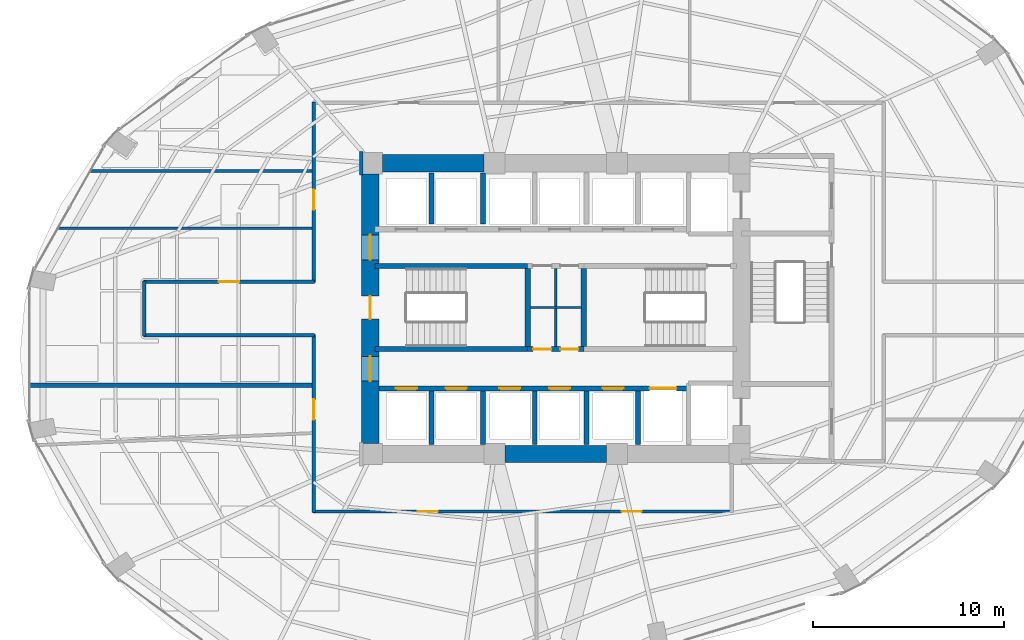
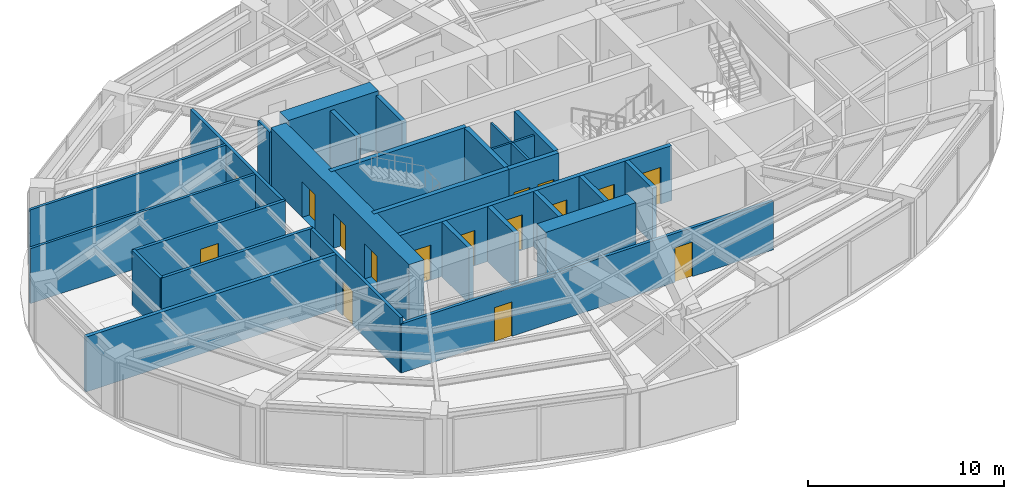
# One storey, part 20 of 24: 28 walls, 16 doors, 16 openings.
"""IFC4 building model written with IfcOpenShell, lengths in metres."""

from ifc_helpers import new_model, si_unit, direction, frame, frame_2d, origin, place, context, subcontext, project, spatial, rectangle, extrude, material, layer, layer_set, type_object, element, fill, save


model = new_model("IFC4")

# Units and contexts
model_context = context("Model", 3, precision=1e-05, world=origin(), true_north=direction((0.0, 1.0)))
body_context = subcontext(model_context, "Body", "Model", "MODEL_VIEW")
ifc_project = project(units=[si_unit("LENGTHUNIT", "METRE"), si_unit("AREAUNIT", "SQUARE_METRE"), si_unit("VOLUMEUNIT", "CUBIC_METRE"), si_unit("PLANEANGLEUNIT", "RADIAN"), si_unit("MASSUNIT", "GRAM", prefix="KILO")], contexts=[model_context])

# Site, building, storey
site_placement = place(None, origin())
site = spatial("IfcSite", under=ifc_project, at=site_placement, CompositionType="ELEMENT")
building_placement = place(site_placement, origin())
building = spatial("IfcBuilding", under=site, at=building_placement, Name="Lazwardi Medical Tower", CompositionType="ELEMENT")
storey_placement = place(building_placement, frame((0.0, 0.0, 39.7919921875)))
storey = spatial("IfcBuildingStorey", under=building, at=storey_placement, Name="L09", CompositionType="ELEMENT", Elevation=39.7919921875)

# Wall
ifc_material_1 = material(Name="Fire-rated gypsum board on steel stud", Category="steel")
ifc_layer_1 = layer(ifc_material_1, 0.179931640625)
ifc_layer_set_1 = layer_set([ifc_layer_1], Name="Fire-rated gypsum board on steel stud")
wall_type_1 = type_object("IfcWallType", Name="WL-COR-180", PredefinedType="PARTITIONING", material=ifc_layer_set_1)
wall_1_placement = place(storey_placement, frame((14.5, 26.56005859375, 0.0), z_axis=(0.0, 0.0, 1.0), x_axis=(0.0, 1.0, 0.0)))
element("IfcWall", 1, at=wall_1_placement, inside=storey, type_object=wall_type_1, Name="L09 Corridor partition 1", PredefinedType="PARTITIONING", context=body_context, shape_type="SweptSolid", body=[
    extrude(rectangle(XDim=2.8798828125, YDim=0.179931640625, at=frame_2d((1.43994140625, 0.0))), origin(), (0.0, 0.0, 1.0), 3.427978515625),
])

# Wall, opening, door
wall_2_placement = place(storey_placement, frame((14.4599609375, 29.39990234375, 0.0), z_axis=(0.0, 0.0, 1.0), x_axis=(1.0, 0.0, 0.0)))
wall_2 = element("IfcWall", 2, at=wall_2_placement, inside=storey, type_object=wall_type_1, Name="L09 Corridor partition 2", PredefinedType="PARTITIONING", context=body_context, shape_type="SweptSolid", body=[
    extrude(rectangle(XDim=8.929931640625, YDim=0.179931640625, at=frame_2d((4.46484375, 0.0))), origin(), (0.0, 0.0, 1.0), 3.427978515625),
])
opening_1_placement = place(wall_2_placement, frame((3.93994140625, 0.0, 0.0)))
opening_1 = element("IfcOpeningElement", 3, at=opening_1_placement, cuts=wall_2, Name="Opening D-L09-016", PredefinedType="OPENING", context=body_context, shape_type="SweptSolid", body=[
    extrude(rectangle(XDim=1.050048828125, YDim=2.14990234375, at=frame_2d((0.52490234375, 1.074951171875))), frame((0.0, 0.099853515625, 0.0), z_axis=(0.0, -1.0, 0.0), x_axis=(1.0, 0.0, 0.0)), (0.0, 0.0, 1.0), 0.199951171875),
])
ifc_material_2 = material(Name="Anti-microbial laminate hospital leaf")
door_type_1 = type_object("IfcDoorType", Name="DR-CLN-1050", OperationType="NOTDEFINED", PredefinedType="DOOR", material=ifc_material_2)
door_1_placement = place(opening_1_placement, origin())
door_1 = element("IfcDoor", 4, at=door_1_placement, inside=storey, type_object=door_type_1, Name="L09 Outpatient Clinic Door 08", OperationType="SINGLE_SWING_LEFT", OverallHeight=2.14990234375, OverallWidth=1.050048828125, PredefinedType="DOOR", context=body_context, shape_type="SweptSolid", body=[
    extrude(rectangle(XDim=1.050048828125, YDim=2.14990234375, at=frame_2d((0.52490234375, 1.074951171875))), frame((0.0, 0.02490234375, 0.0), z_axis=(0.0, -1.0, 0.0), x_axis=(1.0, 0.0, 0.0)), (0.0, 0.0, 1.0), 0.050048828125),
])
fill(opening_1, door_1)

wall_3_placement = place(storey_placement, frame((23.35009765625, 29.360107421875, 0.0), z_axis=(0.0, 0.0, 1.0), x_axis=(0.0, 1.0, 0.0)))
wall_3 = element("IfcWall", 5, at=wall_3_placement, inside=storey, type_object=wall_type_1, Name="L09 Corridor partition 3", PredefinedType="PARTITIONING", context=body_context, shape_type="SweptSolid", body=[
    extrude(rectangle(XDim=9.429931640625, YDim=0.179931640625, at=frame_2d((4.71484375, 0.0))), origin(), (0.0, 0.0, 1.0), 3.427978515625),
])
opening_2_placement = place(wall_3_placement, frame((3.81494140625, 0.0, 0.0)))
opening_2 = element("IfcOpeningElement", 6, at=opening_2_placement, cuts=wall_3, Name="Opening D-L09-015", PredefinedType="OPENING", context=body_context, shape_type="SweptSolid", body=[
    extrude(rectangle(XDim=1.050048828125, YDim=2.14990234375, at=frame_2d((0.52490234375, 1.074951171875))), frame((0.0, 0.099853515625, 0.0), z_axis=(0.0, -1.0, 0.0), x_axis=(1.0, 0.0, 0.0)), (0.0, 0.0, 1.0), 0.199951171875),
])
door_2_placement = place(opening_2_placement, origin())
door_2 = element("IfcDoor", 7, at=door_2_placement, inside=storey, type_object=door_type_1, Name="L09 Outpatient Clinic Door 07", OperationType="SINGLE_SWING_RIGHT", OverallHeight=2.14990234375, OverallWidth=1.050048828125, PredefinedType="DOOR", context=body_context, shape_type="SweptSolid", body=[
    extrude(rectangle(XDim=1.050048828125, YDim=2.14990234375, at=frame_2d((0.52490234375, 1.074951171875))), frame((0.0, 0.02490234375, 0.0), z_axis=(0.0, -1.0, 0.0), x_axis=(1.0, 0.0, 0.0)), (0.0, 0.0, 1.0), 0.050048828125),
])
fill(opening_2, door_2)

# Wall
wall_4_placement = place(storey_placement, frame((25.830078125, 36.2099609375, 0.0), z_axis=(0.0, 0.0, 1.0), x_axis=(0.0, -1.0, 0.0)))
element("IfcWall", 8, at=wall_4_placement, inside=storey, type_object=wall_type_1, Name="L09 Corridor partition 12", PredefinedType="PARTITIONING", context=body_context, shape_type="SweptSolid", body=[
    extrude(rectangle(XDim=1.219970703125, YDim=0.179931640625, at=frame_2d((0.60986328125, 0.0))), origin(), (0.0, 0.0, 1.0), 3.427978515625),
])

# Wall, openings, doors
wall_5_placement = place(storey_placement, frame((45.239990234375, 17.39990234375, 0.0), z_axis=(0.0, 0.0, 1.0), x_axis=(-1.0, 0.0, 0.0)))
wall_5 = element("IfcWall", 9, at=wall_5_placement, inside=storey, type_object=wall_type_1, Name="L09 Corridor partition 15", PredefinedType="PARTITIONING", context=body_context, shape_type="SweptSolid", body=[
    extrude(rectangle(XDim=21.929931640625, YDim=0.179931640625, at=frame_2d((10.96484375, 0.0))), origin(), (0.0, 0.0, 1.0), 3.052978515625),
])
opening_3_placement = place(wall_5_placement, frame((15.40087890625, 0.0, 0.0)))
opening_3 = element("IfcOpeningElement", 10, at=opening_3_placement, cuts=wall_5, Name="Opening D-L09-010", PredefinedType="OPENING", context=body_context, shape_type="SweptSolid", body=[
    extrude(rectangle(XDim=1.050048828125, YDim=2.14990234375, at=frame_2d((0.52490234375, 1.074951171875))), frame((0.0, 0.099853515625, 0.0), z_axis=(0.0, -1.0, 0.0), x_axis=(1.0, 0.0, 0.0)), (0.0, 0.0, 1.0), 0.199951171875),
])
opening_4_placement = place(wall_5_placement, frame((4.75390625, 0.0, 0.0)))
opening_4 = element("IfcOpeningElement", 11, at=opening_4_placement, cuts=wall_5, Name="Opening D-L09-011", PredefinedType="OPENING", context=body_context, shape_type="SweptSolid", body=[
    extrude(rectangle(XDim=1.050048828125, YDim=2.14990234375, at=frame_2d((0.52490234375, 1.074951171875))), frame((0.0, 0.099853515625, 0.0), z_axis=(0.0, -1.0, 0.0), x_axis=(1.0, 0.0, 0.0)), (0.0, 0.0, 1.0), 0.199951171875),
])
door_3_placement = place(opening_3_placement, origin())
door_3 = element("IfcDoor", 12, at=door_3_placement, inside=storey, type_object=door_type_1, Name="L09 Clinical Specialist Office Door 02", OperationType="SINGLE_SWING_LEFT", OverallHeight=2.14990234375, OverallWidth=1.050048828125, PredefinedType="DOOR", context=body_context, shape_type="SweptSolid", body=[
    extrude(rectangle(XDim=1.050048828125, YDim=2.14990234375, at=frame_2d((0.52490234375, 1.074951171875))), frame((0.0, 0.02490234375, 0.0), z_axis=(0.0, -1.0, 0.0), x_axis=(1.0, 0.0, 0.0)), (0.0, 0.0, 1.0), 0.050048828125),
])
fill(opening_3, door_3)
door_4_placement = place(opening_4_placement, origin())
door_4 = element("IfcDoor", 13, at=door_4_placement, inside=storey, type_object=door_type_1, Name="L09 Outpatient Consultation Suite Door 03", OperationType="SINGLE_SWING_RIGHT", OverallHeight=2.14990234375, OverallWidth=1.050048828125, PredefinedType="DOOR", context=body_context, shape_type="SweptSolid", body=[
    extrude(rectangle(XDim=1.050048828125, YDim=2.14990234375, at=frame_2d((0.52490234375, 1.074951171875))), frame((0.0, 0.02490234375, 0.0), z_axis=(0.0, -1.0, 0.0), x_axis=(1.0, 0.0, 0.0)), (0.0, 0.0, 1.0), 0.050048828125),
])
fill(opening_4, door_4)

# Wall, opening, door
wall_6_placement = place(storey_placement, frame((23.35009765625, 17.360107421875, 0.0), z_axis=(0.0, 0.0, 1.0), x_axis=(0.0, 1.0, 0.0)))
wall_6 = element("IfcWall", 14, at=wall_6_placement, inside=storey, type_object=wall_type_1, Name="L09 Corridor partition 16", PredefinedType="PARTITIONING", context=body_context, shape_type="SweptSolid", body=[
    extrude(rectangle(XDim=9.27978515625, YDim=0.179931640625, at=frame_2d((4.639892578125, 0.0))), origin(), (0.0, 0.0, 1.0), 3.427978515625),
])
opening_5_placement = place(wall_6_placement, frame((4.845703125, 0.0, 0.0)))
opening_5 = element("IfcOpeningElement", 15, at=opening_5_placement, cuts=wall_6, Name="Opening D-L09-009", PredefinedType="OPENING", context=body_context, shape_type="SweptSolid", body=[
    extrude(rectangle(XDim=1.050048828125, YDim=2.14990234375, at=frame_2d((0.52490234375, 1.074951171875))), frame((0.0, 0.099853515625, 0.0), z_axis=(0.0, -1.0, 0.0), x_axis=(1.0, 0.0, 0.0)), (0.0, 0.0, 1.0), 0.199951171875),
])
door_5_placement = place(opening_5_placement, origin())
door_5 = element("IfcDoor", 16, at=door_5_placement, inside=storey, type_object=door_type_1, Name="L09 Outpatient Clinic Door 01", OperationType="SINGLE_SWING_RIGHT", OverallHeight=2.14990234375, OverallWidth=1.050048828125, PredefinedType="DOOR", context=body_context, shape_type="SweptSolid", body=[
    extrude(rectangle(XDim=1.050048828125, YDim=2.14990234375, at=frame_2d((0.52490234375, 1.074951171875))), frame((0.0, 0.02490234375, 0.0), z_axis=(0.0, -1.0, 0.0), x_axis=(1.0, 0.0, 0.0)), (0.0, 0.0, 1.0), 0.050048828125),
])
fill(opening_5, door_5)

# Wall
wall_7_placement = place(storey_placement, frame((23.389892578125, 26.60009765625, 0.0), z_axis=(0.0, 0.0, 1.0), x_axis=(-1.0, 0.0, 0.0)))
element("IfcWall", 17, at=wall_7_placement, inside=storey, type_object=wall_type_1, Name="L09 Corridor partition 17", PredefinedType="PARTITIONING", context=body_context, shape_type="SweptSolid", body=[
    extrude(rectangle(XDim=8.929931640625, YDim=0.179931640625, at=frame_2d((4.46484375, 0.0))), origin(), (0.0, 0.0, 1.0), 3.427978515625),
])

# Wall, openings, doors
ifc_material_3 = material(Name="Concrete C80/95", Category="concrete")
ifc_layer_2 = layer(ifc_material_3, 0.89990234375)
ifc_layer_set_2 = layer_set([ifc_layer_2], Name="Concrete C80/95")
wall_type_2 = type_object("IfcWallType", Name="WL-CORE-900", PredefinedType="SHEAR", material=ifc_layer_set_2)
wall_8_placement = place(storey_placement, frame((26.300048828125, 20.949951171875, 0.0), z_axis=(0.0, 0.0, 1.0), x_axis=(0.0, 1.0, 0.0)))
wall_8 = element("IfcWall", 18, at=wall_8_placement, inside=storey, type_object=wall_type_2, Name="Core wall CW-S1 west L09", PredefinedType="SHEAR", context=body_context, shape_type="SweptSolid", body=[
    extrude(rectangle(XDim=14.10009765625, YDim=0.89990234375, at=frame_2d((7.050048828125, 0.0))), origin(), (0.0, 0.0, 1.0), 3.64794921875),
])
opening_6_placement = place(wall_8_placement, frame((6.5, 0.0, 0.0)))
opening_6 = element("IfcOpeningElement", 19, at=opening_6_placement, cuts=wall_8, Name="Opening D-L09-017", PredefinedType="OPENING", context=body_context, shape_type="SweptSolid", body=[
    extrude(rectangle(XDim=1.199951171875, YDim=2.14990234375, at=frame_2d((0.60009765625, 1.074951171875))), frame((0.0, 0.4599609375, 0.0), z_axis=(0.0, -1.0, 0.0), x_axis=(1.0, 0.0, 0.0)), (0.0, 0.0, 1.0), 0.919921875),
])
opening_7_placement = place(wall_8_placement, frame((9.60009765625, 0.0, 0.0)))
opening_7 = element("IfcOpeningElement", 20, at=opening_7_placement, cuts=wall_8, Name="Opening D-L09-007", PredefinedType="OPENING", context=body_context, shape_type="SweptSolid", body=[
    extrude(rectangle(XDim=1.300048828125, YDim=2.199951171875, at=frame_2d((0.64990234375, 1.10009765625))), frame((0.0, 0.4599609375, 0.0), z_axis=(0.0, -1.0, 0.0), x_axis=(1.0, 0.0, 0.0)), (0.0, 0.0, 1.0), 0.919921875),
])
opening_8_placement = place(wall_8_placement, frame((3.260009765625, 0.0, 0.0)))
opening_8 = element("IfcOpeningElement", 21, at=opening_8_placement, cuts=wall_8, Name="Opening D-L09-008", PredefinedType="OPENING", context=body_context, shape_type="SweptSolid", body=[
    extrude(rectangle(XDim=1.300048828125, YDim=2.199951171875, at=frame_2d((0.64990234375, 1.10009765625))), frame((0.0, 0.4599609375, 0.0), z_axis=(0.0, -1.0, 0.0), x_axis=(1.0, 0.0, 0.0)), (0.0, 0.0, 1.0), 0.919921875),
])
ifc_material_4 = material(Name="Fire-rated steel leaf and frame", Category="steel")
door_type_2 = type_object("IfcDoorType", Name="DR-FFL-1300", OperationType="NOTDEFINED", PredefinedType="DOOR", material=ifc_material_4)
door_6_placement = place(opening_7_placement, origin())
door_6 = element("IfcDoor", 22, at=door_6_placement, inside=storey, type_object=door_type_2, Name="L09 North Lift Lobby Door", OperationType="SINGLE_SWING_LEFT", OverallHeight=2.199951171875, OverallWidth=1.300048828125, PredefinedType="DOOR", context=body_context, shape_type="SweptSolid", body=[
    extrude(rectangle(XDim=1.300048828125, YDim=2.199951171875, at=frame_2d((0.64990234375, 1.10009765625))), frame((0.0, 0.02490234375, 0.0), z_axis=(0.0, -1.0, 0.0), x_axis=(1.0, 0.0, 0.0)), (0.0, 0.0, 1.0), 0.050048828125),
])
fill(opening_7, door_6)
door_7_placement = place(opening_8_placement, origin())
door_7 = element("IfcDoor", 23, at=door_7_placement, inside=storey, type_object=door_type_2, Name="L09 South Lift Lobby Door", OperationType="SINGLE_SWING_RIGHT", OverallHeight=2.199951171875, OverallWidth=1.300048828125, PredefinedType="DOOR", context=body_context, shape_type="SweptSolid", body=[
    extrude(rectangle(XDim=1.300048828125, YDim=2.199951171875, at=frame_2d((0.64990234375, 1.10009765625))), frame((0.0, 0.02490234375, 0.0), z_axis=(0.0, -1.0, 0.0), x_axis=(1.0, 0.0, 0.0)), (0.0, 0.0, 1.0), 0.050048828125),
])
fill(opening_8, door_7)
door_type_3 = type_object("IfcDoorType", Name="DR-STR-1200", OperationType="NOTDEFINED", PredefinedType="DOOR", material=ifc_material_4)
door_8_placement = place(opening_6_placement, origin())
door_8 = element("IfcDoor", 24, at=door_8_placement, inside=storey, type_object=door_type_3, Name="L09 Exit Stair ST1 Door", OperationType="SINGLE_SWING_LEFT", OverallHeight=2.14990234375, OverallWidth=1.199951171875, PredefinedType="DOOR", context=body_context, shape_type="SweptSolid", body=[
    extrude(rectangle(XDim=1.199951171875, YDim=2.14990234375, at=frame_2d((0.60009765625, 1.074951171875))), frame((0.0, 0.02490234375, 0.0), z_axis=(0.0, -1.0, 0.0), x_axis=(1.0, 0.0, 0.0)), (0.0, 0.0, 1.0), 0.050048828125),
])
fill(opening_6, door_8)

# Walls
wall_9_placement = place(storey_placement, frame((26.949951171875, 35.60009765625, 0.0), z_axis=(0.0, 0.0, 1.0), x_axis=(1.0, 0.0, 0.0)))
element("IfcWall", 25, at=wall_9_placement, inside=storey, type_object=wall_type_2, Name="Core wall CW-S1 N1 L09", PredefinedType="SHEAR", context=body_context, shape_type="SweptSolid", body=[
    extrude(rectangle(XDim=5.300048828125, YDim=0.89990234375, at=frame_2d((2.64990234375, 0.0))), origin(), (0.0, 0.0, 1.0), 3.64794921875),
])
wall_10_placement = place(storey_placement, frame((33.35009765625, 20.39990234375, 0.0), z_axis=(0.0, 0.0, 1.0), x_axis=(1.0, 0.0, 0.0)))
element("IfcWall", 26, at=wall_10_placement, inside=storey, type_object=wall_type_2, Name="Core wall CW-S1 S2 L09", PredefinedType="SHEAR", context=body_context, shape_type="SweptSolid", body=[
    extrude(rectangle(XDim=5.2998046875, YDim=0.89990234375, at=frame_2d((2.64990234375, 0.0))), origin(), (0.0, 0.0, 1.0), 3.64794921875),
])
ifc_material_5 = material(Name="Moisture-resistant gypsum board partition")
ifc_layer_3 = layer(ifc_material_5, 0.125)
ifc_layer_set_3 = layer_set([ifc_layer_3], Name="Moisture-resistant gypsum board partition")
wall_type_3 = type_object("IfcWallType", Name="WL-ENS-125", PredefinedType="PARTITIONING", material=ifc_layer_set_3)
wall_11_placement = place(storey_placement, frame((34.64990234375, 28.06005859375, 0.0), z_axis=(0.0, 0.0, 1.0), x_axis=(1.0, 0.0, 0.0)))
element("IfcWall", 27, at=wall_11_placement, inside=storey, type_object=wall_type_3, Name="L09 Core 4-way H divider", PredefinedType="PARTITIONING", context=body_context, shape_type="SweptSolid", body=[
    extrude(rectangle(XDim=2.7001953125, YDim=0.125, at=frame_2d((1.35009765625, 0.0))), origin(), (0.0, 0.0, 1.0), 3.427978515625),
])
wall_12_placement = place(storey_placement, frame((36.0, 26.02001953125, 0.0), z_axis=(0.0, 0.0, 1.0), x_axis=(0.0, 1.0, 0.0)))
element("IfcWall", 28, at=wall_12_placement, inside=storey, type_object=wall_type_3, Name="L09 Core 4-way V divider", PredefinedType="PARTITIONING", context=body_context, shape_type="SweptSolid", body=[
    extrude(rectangle(XDim=4.080078125, YDim=0.125, at=frame_2d((2.0400390625, 0.0))), origin(), (0.0, 0.0, 1.0), 3.427978515625),
])

# Wall, openings, doors
ifc_material_6 = material(Name="Autoclaved aerated concrete blockwork", Category="masonry")
ifc_layer_4 = layer(ifc_material_6, 0.25)
ifc_layer_set_4 = layer_set([ifc_layer_4], Name="Autoclaved aerated concrete blockwork")
wall_type_4 = type_object("IfcWallType", Name="WL-SHAFT-250", PredefinedType="SOLIDWALL", material=ifc_layer_set_4)
wall_13_placement = place(storey_placement, frame((26.75, 23.830078125, 0.0), z_axis=(0.0, 0.0, 1.0), x_axis=(1.0, 0.0, 0.0)))
wall_13 = element("IfcWall", 29, at=wall_13_placement, inside=storey, type_object=wall_type_4, Name="L09 South lift bank front wall", PredefinedType="SOLIDWALL", context=body_context, shape_type="SweptSolid", body=[
    extrude(rectangle(XDim=16.199951171875, YDim=0.25, at=frame_2d((8.10009765625, 0.0))), origin(), (0.0, 0.0, 1.0), 3.427978515625),
])
opening_9_placement = place(wall_13_placement, frame((0.89990234375, 0.0, 0.0)))
opening_9 = element("IfcOpeningElement", 30, at=opening_9_placement, cuts=wall_13, Name="Opening LD-L09-006", PredefinedType="OPENING", context=body_context, shape_type="SweptSolid", body=[
    extrude(rectangle(XDim=1.10009765625, YDim=2.199951171875, at=frame_2d((0.550048828125, 1.10009765625))), frame((0.0, 0.135009765625, 0.0), z_axis=(0.0, -1.0, 0.0), x_axis=(1.0, 0.0, 0.0)), (0.0, 0.0, 1.0), 0.27001953125),
])
opening_10_placement = place(wall_13_placement, frame((3.5, 0.0, 0.0)))
opening_10 = element("IfcOpeningElement", 31, at=opening_10_placement, cuts=wall_13, Name="Opening LD-L09-007", PredefinedType="OPENING", context=body_context, shape_type="SweptSolid", body=[
    extrude(rectangle(XDim=1.10009765625, YDim=2.199951171875, at=frame_2d((0.550048828125, 1.10009765625))), frame((0.0, 0.135009765625, 0.0), z_axis=(0.0, -1.0, 0.0), x_axis=(1.0, 0.0, 0.0)), (0.0, 0.0, 1.0), 0.27001953125),
])
opening_11_placement = place(wall_13_placement, frame((6.300048828125, 0.0, 0.0)))
opening_11 = element("IfcOpeningElement", 32, at=opening_11_placement, cuts=wall_13, Name="Opening LD-L09-010", PredefinedType="OPENING", context=body_context, shape_type="SweptSolid", body=[
    extrude(rectangle(XDim=1.10009765625, YDim=2.199951171875, at=frame_2d((0.550048828125, 1.10009765625))), frame((0.0, 0.135009765625, 0.0), z_axis=(0.0, -1.0, 0.0), x_axis=(1.0, 0.0, 0.0)), (0.0, 0.0, 1.0), 0.27001953125),
])
opening_12_placement = place(wall_13_placement, frame((8.89990234375, 0.0, 0.0)))
opening_12 = element("IfcOpeningElement", 33, at=opening_12_placement, cuts=wall_13, Name="Opening LD-L09-011", PredefinedType="OPENING", context=body_context, shape_type="SweptSolid", body=[
    extrude(rectangle(XDim=1.10009765625, YDim=2.199951171875, at=frame_2d((0.550048828125, 1.10009765625))), frame((0.0, 0.135009765625, 0.0), z_axis=(0.0, -1.0, 0.0), x_axis=(1.0, 0.0, 0.0)), (0.0, 0.0, 1.0), 0.27001953125),
])
opening_13_placement = place(wall_13_placement, frame((11.699951171875, 0.0, 0.0)))
opening_13 = element("IfcOpeningElement", 34, at=opening_13_placement, cuts=wall_13, Name="Opening LD-L09-014", PredefinedType="OPENING", context=body_context, shape_type="SweptSolid", body=[
    extrude(rectangle(XDim=1.10009765625, YDim=2.199951171875, at=frame_2d((0.550048828125, 1.10009765625))), frame((0.0, 0.135009765625, 0.0), z_axis=(0.0, -1.0, 0.0), x_axis=(1.0, 0.0, 0.0)), (0.0, 0.0, 1.0), 0.27001953125),
])
opening_14_placement = place(wall_13_placement, frame((14.14990234375, 0.0, 0.0)))
opening_14 = element("IfcOpeningElement", 35, at=opening_14_placement, cuts=wall_13, Name="Opening LD-L09-003", PredefinedType="OPENING", context=body_context, shape_type="SweptSolid", body=[
    extrude(rectangle(XDim=1.39990234375, YDim=2.300048828125, at=frame_2d((0.699951171875, 1.14990234375))), frame((0.0, 0.135009765625, 0.0), z_axis=(0.0, -1.0, 0.0), x_axis=(1.0, 0.0, 0.0)), (0.0, 0.0, 1.0), 0.27001953125),
])
ifc_material_7 = material(Name="Brushed bronze stainless steel landing door", Category="steel")
door_type_4 = type_object("IfcDoorType", Name="DR-LFT-1100", OperationType="NOTDEFINED", PredefinedType="DOOR", material=ifc_material_7)
door_9_placement = place(opening_9_placement, origin())
door_9 = element("IfcDoor", 36, at=door_9_placement, inside=storey, type_object=door_type_4, Name="L09 Lift Landing Door PL-03", OperationType="SLIDING_TO_LEFT", OverallHeight=2.199951171875, OverallWidth=1.10009765625, PredefinedType="DOOR", context=body_context, shape_type="SweptSolid", body=[
    extrude(rectangle(XDim=1.10009765625, YDim=2.199951171875, at=frame_2d((0.550048828125, 1.10009765625))), frame((0.0, 0.02490234375, 0.0), z_axis=(0.0, -1.0, 0.0), x_axis=(1.0, 0.0, 0.0)), (0.0, 0.0, 1.0), 0.050048828125),
])
fill(opening_9, door_9)
door_10_placement = place(opening_10_placement, origin())
door_10 = element("IfcDoor", 37, at=door_10_placement, inside=storey, type_object=door_type_4, Name="L09 Lift Landing Door PL-04", OperationType="SLIDING_TO_LEFT", OverallHeight=2.199951171875, OverallWidth=1.10009765625, PredefinedType="DOOR", context=body_context, shape_type="SweptSolid", body=[
    extrude(rectangle(XDim=1.10009765625, YDim=2.199951171875, at=frame_2d((0.550048828125, 1.10009765625))), frame((0.0, 0.02490234375, 0.0), z_axis=(0.0, -1.0, 0.0), x_axis=(1.0, 0.0, 0.0)), (0.0, 0.0, 1.0), 0.050048828125),
])
fill(opening_10, door_10)
door_11_placement = place(opening_11_placement, origin())
door_11 = element("IfcDoor", 38, at=door_11_placement, inside=storey, type_object=door_type_4, Name="L09 Lift Landing Door PL-07", OperationType="SLIDING_TO_LEFT", OverallHeight=2.199951171875, OverallWidth=1.10009765625, PredefinedType="DOOR", context=body_context, shape_type="SweptSolid", body=[
    extrude(rectangle(XDim=1.10009765625, YDim=2.199951171875, at=frame_2d((0.550048828125, 1.10009765625))), frame((0.0, 0.02490234375, 0.0), z_axis=(0.0, -1.0, 0.0), x_axis=(1.0, 0.0, 0.0)), (0.0, 0.0, 1.0), 0.050048828125),
])
fill(opening_11, door_11)
door_12_placement = place(opening_12_placement, origin())
door_12 = element("IfcDoor", 39, at=door_12_placement, inside=storey, type_object=door_type_4, Name="L09 Lift Landing Door PL-08", OperationType="SLIDING_TO_LEFT", OverallHeight=2.199951171875, OverallWidth=1.10009765625, PredefinedType="DOOR", context=body_context, shape_type="SweptSolid", body=[
    extrude(rectangle(XDim=1.10009765625, YDim=2.199951171875, at=frame_2d((0.550048828125, 1.10009765625))), frame((0.0, 0.02490234375, 0.0), z_axis=(0.0, -1.0, 0.0), x_axis=(1.0, 0.0, 0.0)), (0.0, 0.0, 1.0), 0.050048828125),
])
fill(opening_12, door_12)
door_13_placement = place(opening_13_placement, origin())
door_13 = element("IfcDoor", 40, at=door_13_placement, inside=storey, type_object=door_type_4, Name="L09 Lift Landing Door PL-11", OperationType="SLIDING_TO_LEFT", OverallHeight=2.199951171875, OverallWidth=1.10009765625, PredefinedType="DOOR", context=body_context, shape_type="SweptSolid", body=[
    extrude(rectangle(XDim=1.10009765625, YDim=2.199951171875, at=frame_2d((0.550048828125, 1.10009765625))), frame((0.0, 0.02490234375, 0.0), z_axis=(0.0, -1.0, 0.0), x_axis=(1.0, 0.0, 0.0)), (0.0, 0.0, 1.0), 0.050048828125),
])
fill(opening_13, door_13)
ifc_material_8 = material(Name="Brushed stainless steel bed-lift landing door", Category="steel")
door_type_5 = type_object("IfcDoorType", Name="DR-LFT-1400", OperationType="NOTDEFINED", PredefinedType="DOOR", material=ifc_material_8)
door_14_placement = place(opening_14_placement, origin())
door_14 = element("IfcDoor", 41, at=door_14_placement, inside=storey, type_object=door_type_5, Name="L09 Lift Landing Door FL-03", OperationType="SLIDING_TO_LEFT", OverallHeight=2.300048828125, OverallWidth=1.39990234375, PredefinedType="DOOR", context=body_context, shape_type="SweptSolid", body=[
    extrude(rectangle(XDim=1.39990234375, YDim=2.300048828125, at=frame_2d((0.699951171875, 1.14990234375))), frame((0.0, 0.02490234375, 0.0), z_axis=(0.0, -1.0, 0.0), x_axis=(1.0, 0.0, 0.0)), (0.0, 0.0, 1.0), 0.050048828125),
])
fill(opening_14, door_14)

# Walls
wall_14_placement = place(storey_placement, frame((29.5, 32.419921875, 0.0), z_axis=(0.0, 0.0, 1.0), x_axis=(0.0, 1.0, 0.0)))
element("IfcWall", 42, at=wall_14_placement, inside=storey, type_object=wall_type_4, Name="L09 North hoistway divider", PredefinedType="SOLIDWALL", context=body_context, shape_type="SweptSolid", body=[
    extrude(rectangle(XDim=2.68017578125, YDim=0.25, at=frame_2d((1.340087890625, 0.0))), origin(), (0.0, 0.0, 1.0), 3.427978515625),
])
wall_15_placement = place(storey_placement, frame((29.5, 20.89990234375, 0.0), z_axis=(0.0, 0.0, 1.0), x_axis=(0.0, 1.0, 0.0)))
element("IfcWall", 43, at=wall_15_placement, inside=storey, type_object=wall_type_4, Name="L09 South hoistway divider", PredefinedType="SOLIDWALL", context=body_context, shape_type="SweptSolid", body=[
    extrude(rectangle(XDim=2.800048828125, YDim=0.25, at=frame_2d((1.39990234375, 0.0))), origin(), (0.0, 0.0, 1.0), 3.427978515625),
])
wall_16_placement = place(storey_placement, frame((32.199951171875, 32.419921875, 0.0), z_axis=(0.0, 0.0, 1.0), x_axis=(0.0, 1.0, 0.0)))
element("IfcWall", 44, at=wall_16_placement, inside=storey, type_object=wall_type_4, Name="L09 North hoistway divider", PredefinedType="SOLIDWALL", context=body_context, shape_type="SweptSolid", body=[
    extrude(rectangle(XDim=2.68017578125, YDim=0.25, at=frame_2d((1.340087890625, 0.0))), origin(), (0.0, 0.0, 1.0), 3.427978515625),
])
for number, where, z_axis, x_axis, name in (
    (45, (32.199951171875, 20.89990234375, 0.0), (0.0, 0.0, 1.0), (0.0, 1.0, 0.0), "L09 South hoistway divider"),
    (46, (34.89990234375, 20.89990234375, 0.0), (0.0, 0.0, 1.0), (0.0, 1.0, 0.0), "L09 South hoistway divider"),
    (47, (37.60009765625, 20.89990234375, 0.0), (0.0, 0.0, 1.0), (0.0, 1.0, 0.0), "L09 South hoistway divider"),
    (48, (40.300048828125, 20.89990234375, 0.0), (0.0, 0.0, 1.0), (0.0, 1.0, 0.0), "L09 South hoistway divider"),
):
    element("IfcWall", number, at=place(storey_placement, frame(where, z_axis=z_axis, x_axis=x_axis)), inside=storey, type_object=wall_type_4, Name=name, PredefinedType="SOLIDWALL", context=body_context, shape_type="SweptSolid", body=[
        extrude(rectangle(XDim=2.800048828125, YDim=0.25, at=frame_2d((1.39990234375, 0.0))), origin(), (0.0, 0.0, 1.0), 3.427978515625),
    ])
ifc_layer_5 = layer(ifc_material_1, 0.219970703125)
ifc_layer_set_5 = layer_set([ifc_layer_5], Name="Fire-rated gypsum board on steel stud")
wall_type_5 = type_object("IfcWallType", Name="WL-SMK-220", PredefinedType="PARTITIONING", material=ifc_layer_set_5)
wall_17_placement = place(storey_placement, frame((8.5078125, 24.0, 0.0), z_axis=(0.0, 0.0, 1.0), x_axis=(1.0, 0.0, 0.0)))
element("IfcWall", 49, at=wall_17_placement, inside=storey, type_object=wall_type_5, Name="L09 Room partition 2", PredefinedType="PARTITIONING", context=body_context, shape_type="SweptSolid", body=[
    extrude(rectangle(XDim=14.752197265625, YDim=0.219970703125, at=frame_2d((7.3759765625, 0.0))), origin(), (0.0, 0.0, 1.0), 3.427978515625),
])
ifc_material_9 = material(Name="Concrete C50/60", Category="concrete")
ifc_layer_6 = layer(ifc_material_9, 0.27001953125)
ifc_layer_set_6 = layer_set([ifc_layer_6], Name="Concrete C50/60")
wall_type_6 = type_object("IfcWallType", Name="WL-STR-250", PredefinedType="SHEAR", material=ifc_layer_set_6)
for number, where, z_axis, x_axis, name in (
    (50, (26.550048828125, 30.235107421875, 0.0), (0.0, 0.0, 1.0), (1.0, 0.0, 0.0), "L09 ST1 North shear shaft wall SW-S1"),
    (51, (26.550048828125, 25.885009765625, 0.0), (0.0, 0.0, 1.0), (1.0, 0.0, 0.0), "L09 ST1 South shear shaft wall SW-S1"),
):
    element("IfcWall", number, at=place(storey_placement, frame(where, z_axis=z_axis, x_axis=x_axis)), inside=storey, type_object=wall_type_6, Name=name, PredefinedType="SHEAR", context=body_context, shape_type="SweptSolid", body=[
        extrude(rectangle(XDim=7.98486328125, YDim=0.27001953125, at=frame_2d((3.992431640625, 0.0))), origin(), (0.0, 0.0, 1.0), 3.64794921875),
    ])

# Wall, openings, doors
wall_18_placement = place(storey_placement, frame((34.534912109375, 25.885009765625, 0.0), z_axis=(0.0, 0.0, 1.0), x_axis=(1.0, 0.0, 0.0)))
wall_18 = element("IfcWall", 52, at=wall_18_placement, inside=storey, type_object=wall_type_6, Name="L09 Core service South shear wall SW-S1", PredefinedType="SHEAR", context=body_context, shape_type="SweptSolid", body=[
    extrude(rectangle(XDim=2.93017578125, YDim=0.27001953125, at=frame_2d((1.465087890625, 0.0))), origin(), (0.0, 0.0, 1.0), 3.64794921875),
])
opening_15_placement = place(wall_18_placement, frame((0.280029296875, 0.0, 0.0)))
opening_15 = element("IfcOpeningElement", 53, at=opening_15_placement, cuts=wall_18, Name="Opening D-L09-001", PredefinedType="OPENING", context=body_context, shape_type="SweptSolid", body=[
    extrude(rectangle(XDim=0.949951171875, YDim=2.10009765625, at=frame_2d((0.47509765625, 1.050048828125))), frame((0.0, 0.14501953125, 0.0), z_axis=(0.0, -1.0, 0.0), x_axis=(1.0, 0.0, 0.0)), (0.0, 0.0, 1.0), 0.2900390625),
])
opening_16_placement = place(wall_18_placement, frame((1.699951171875, 0.0, 0.0)))
opening_16 = element("IfcOpeningElement", 54, at=opening_16_placement, cuts=wall_18, Name="Opening D-L09-002", PredefinedType="OPENING", context=body_context, shape_type="SweptSolid", body=[
    extrude(rectangle(XDim=0.949951171875, YDim=2.10009765625, at=frame_2d((0.47509765625, 1.050048828125))), frame((0.0, 0.14501953125, 0.0), z_axis=(0.0, -1.0, 0.0), x_axis=(1.0, 0.0, 0.0)), (0.0, 0.0, 1.0), 0.2900390625),
])
ifc_material_10 = material(Name="Moisture-resistant laminate door leaf")
door_type_6 = type_object("IfcDoorType", Name="DR-ENS-950", OperationType="NOTDEFINED", PredefinedType="DOOR", material=ifc_material_10)
door_15_placement = place(opening_15_placement, origin())
door_15 = element("IfcDoor", 55, at=door_15_placement, inside=storey, type_object=door_type_6, Name="L09 Staff WC Door", OperationType="SINGLE_SWING_LEFT", OverallHeight=2.10009765625, OverallWidth=0.949951171875, PredefinedType="DOOR", context=body_context, shape_type="SweptSolid", body=[
    extrude(rectangle(XDim=0.949951171875, YDim=2.10009765625, at=frame_2d((0.47509765625, 1.050048828125))), frame((0.0, 0.02490234375, 0.0), z_axis=(0.0, -1.0, 0.0), x_axis=(1.0, 0.0, 0.0)), (0.0, 0.0, 1.0), 0.050048828125),
])
fill(opening_15, door_15)
door_16_placement = place(opening_16_placement, origin())
door_16 = element("IfcDoor", 56, at=door_16_placement, inside=storey, type_object=door_type_6, Name="L09 Comms Room Door", OperationType="SINGLE_SWING_RIGHT", OverallHeight=2.10009765625, OverallWidth=0.949951171875, PredefinedType="DOOR", context=body_context, shape_type="SweptSolid", body=[
    extrude(rectangle(XDim=0.949951171875, YDim=2.10009765625, at=frame_2d((0.47509765625, 1.050048828125))), frame((0.0, 0.02490234375, 0.0), z_axis=(0.0, -1.0, 0.0), x_axis=(1.0, 0.0, 0.0)), (0.0, 0.0, 1.0), 0.050048828125),
])
fill(opening_16, door_16)

# Walls
for number, where, z_axis, x_axis, name in (
    (57, (34.534912109375, 26.02001953125, 0.0), (0.0, 0.0, 1.0), (0.0, 1.0, 0.0), "L09 ST1 East shear shaft wall SW-S1"),
    (58, (37.465087890625, 26.02001953125, 0.0), (0.0, 0.0, 1.0), (0.0, 1.0, 0.0), "L09 ST2 West shear shaft wall SW-S1"),
):
    element("IfcWall", number, at=place(storey_placement, frame(where, z_axis=z_axis, x_axis=x_axis)), inside=storey, type_object=wall_type_6, Name=name, PredefinedType="SHEAR", context=body_context, shape_type="SweptSolid", body=[
        extrude(rectangle(XDim=4.080078125, YDim=0.27001953125, at=frame_2d((2.0400390625, 0.0))), origin(), (0.0, 0.0, 1.0), 3.64794921875),
    ])
ifc_material_11 = material(Name="Acoustic gypsum board partition")
ifc_layer_7 = layer(ifc_material_11, 0.14990234375)
ifc_layer_set_7 = layer_set([ifc_layer_7], Name="Acoustic gypsum board partition")
wall_type_7 = type_object("IfcWallType", Name="WL-WRD-150", PredefinedType="PARTITIONING", material=ifc_layer_set_7)
wall_19_placement = place(storey_placement, frame((9.97802734375, 32.199951171875, 0.0), z_axis=(0.0, 0.0, 1.0), x_axis=(1.0, 0.0, 0.0)))
element("IfcWall", 59, at=wall_19_placement, inside=storey, type_object=wall_type_7, Name="L09 Room partition 3", PredefinedType="PARTITIONING", context=body_context, shape_type="SweptSolid", body=[
    extrude(rectangle(XDim=13.281982421875, YDim=0.14990234375, at=frame_2d((6.64111328125, 0.0))), origin(), (0.0, 0.0, 1.0), 3.427978515625),
])
wall_20_placement = place(storey_placement, frame((11.677490234375, 35.199951171875, 0.0), z_axis=(0.0, 0.0, 1.0), x_axis=(1.0, 0.0, 0.0)))
element("IfcWall", 60, at=wall_20_placement, inside=storey, type_object=wall_type_7, Name="L09 Room partition 4", PredefinedType="PARTITIONING", context=body_context, shape_type="SweptSolid", body=[
    extrude(rectangle(XDim=11.58251953125, YDim=0.14990234375, at=frame_2d((5.791259765625, 0.0))), origin(), (0.0, 0.0, 1.0), 3.427978515625),
])

save(model, "model.ifc")
